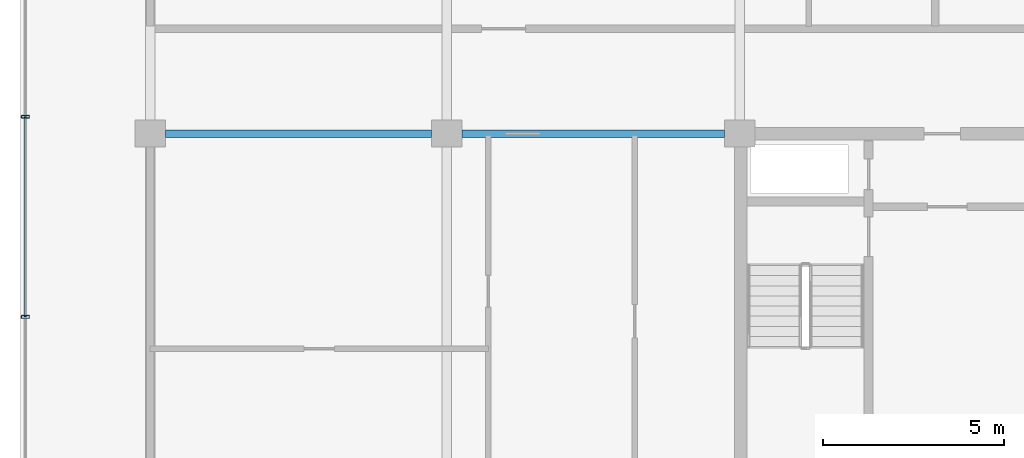
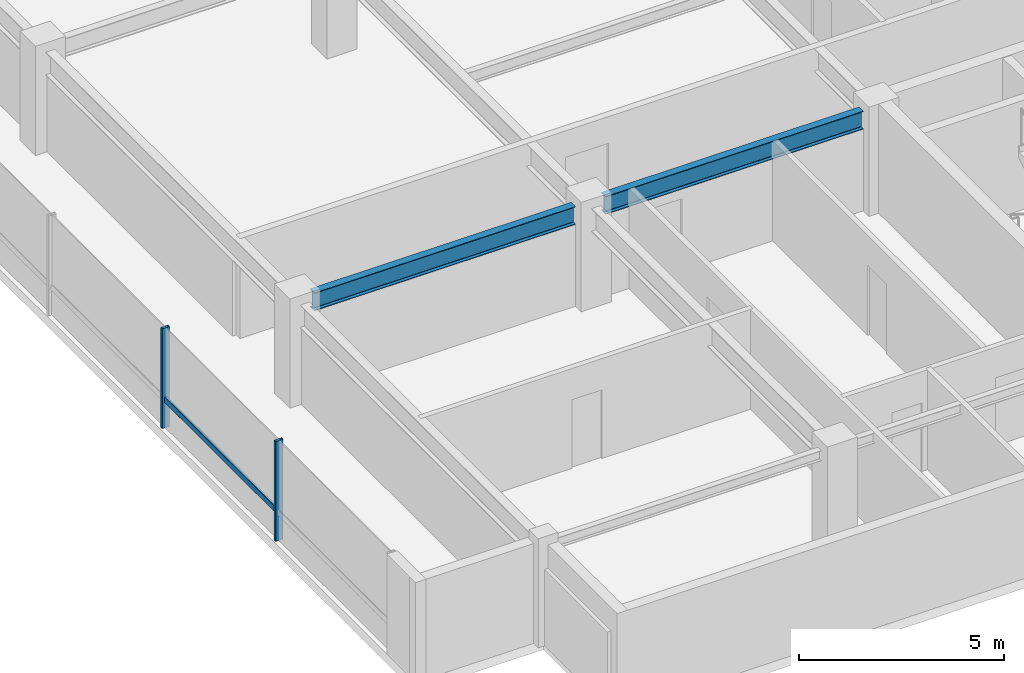
# One storey, part 4 of 32: 3 members, 2 beams, 1 element without a shape of its own.
"""IFC4 building model written with IfcOpenShell, lengths in metres."""

from ifc_helpers import new_model, si_unit, direction, frame, origin, origin_2d, place, context, subcontext, project, spatial, hollow_rectangle, i_section, extrude, material, layer, layer_set, material_profile, profile_set, type_object, element, aggregate, save


model = new_model("IFC4")

# Units and contexts
model_context = context("Model", 3, precision=1e-05, world=origin(), true_north=direction((0.0, 1.0)))
body_context = subcontext(model_context, "Body", "Model", "MODEL_VIEW")
ifc_project = project(units=[si_unit("LENGTHUNIT", "METRE"), si_unit("AREAUNIT", "SQUARE_METRE"), si_unit("VOLUMEUNIT", "CUBIC_METRE"), si_unit("PLANEANGLEUNIT", "RADIAN"), si_unit("MASSUNIT", "GRAM", prefix="KILO")], contexts=[model_context])

# Site, building, storey
site_placement = place(None, origin())
site = spatial("IfcSite", under=ifc_project, at=site_placement, CompositionType="ELEMENT")
building_placement = place(site_placement, origin())
building = spatial("IfcBuilding", under=site, at=building_placement, Name="Korimba Cascade Residences", CompositionType="ELEMENT")
storey_placement = place(building_placement, frame((0.0, 0.0, 178.35009765625)))
storey = spatial("IfcBuildingStorey", under=building, at=storey_placement, Name="L51", CompositionType="ELEMENT", Elevation=178.35009765625)

# Beams
ifc_material_1 = material(Name="Steel S355", Category="steel")
ifc_material_profile_1 = material_profile(ifc_material_1, i_section(OverallWidth=0.2099609375, OverallDepth=0.53662109375, WebThickness=0.0107421875, FlangeThickness=0.017333984375, FilletRadius=0.0126953125, at=origin_2d()), Name="Steel S355")
ifc_profile_set_1 = profile_set([ifc_material_profile_1], Name="Steel S355")
beam_type = type_object("IfcBeamType", Name="BM-STL-UB533", PredefinedType="BEAM", material=ifc_profile_set_1)
beam_1_placement = place(storey_placement, frame((60.22509765625, 67.199951171875, 2.701416015625), z_axis=(1.0, 0.0, 0.0), x_axis=(0.0, 1.0, 0.0)))
element("IfcBeam", 1, at=beam_1_placement, inside=storey, type_object=beam_type, Name="L51 T1 E-W Girder Y2 Bay 1", PredefinedType="BEAM", context=body_context, shape_type="SweptSolid", body=[
    extrude(i_section(OverallWidth=0.2099609375, OverallDepth=0.53662109375, WebThickness=0.0107421875, FlangeThickness=0.017333984375, FilletRadius=0.0126953125, at=origin_2d()), origin(), (0.0, 0.0, 1.0), 7.349853515625),
])
beam_2_placement = place(storey_placement, frame((68.425048828125, 67.199951171875, 2.701416015625), z_axis=(1.0, 0.0, 0.0), x_axis=(0.0, 1.0, 0.0)))
element("IfcBeam", 2, at=beam_2_placement, inside=storey, type_object=beam_type, Name="L51 T1 E-W Girder Y2 Bay 2", PredefinedType="BEAM", context=body_context, shape_type="SweptSolid", body=[
    extrude(i_section(OverallWidth=0.2099609375, OverallDepth=0.53662109375, WebThickness=0.0107421875, FlangeThickness=0.017333984375, FilletRadius=0.0126953125, at=origin_2d()), origin(), (0.0, 0.0, 1.0), 7.25),
])

# Curtain wall, members
ifc_material_2 = material(Name="Anodised Aluminium Curtain Wall Framing", Category="aluminium")
ifc_layer = layer(ifc_material_2, 0.179931640625)
ifc_layer_set = layer_set([ifc_layer], Name="Anodised Aluminium Curtain Wall Framing")
curtain_wall_type = type_object("IfcCurtainWallType", Name="CW-SKY-SYS2", PredefinedType="NOTDEFINED", material=ifc_layer_set)
curtain_wall_placement = place(storey_placement, origin())
curtain_wall = element("IfcCurtainWall", 3, at=curtain_wall_placement, inside=storey, type_object=curtain_wall_type, Name="L51 Curtain Wall CW-L51-T1-E9", PredefinedType="NOTDEFINED")
ifc_material_3 = material(Name="Anodised Aluminium Mullion", Category="aluminium")
ifc_material_profile_2 = material_profile(ifc_material_3, hollow_rectangle(XDim=0.080078125, YDim=0.219970703125, WallThickness=0.00634765625, InnerFilletRadius=0.00634765625, OuterFilletRadius=0.0126953125, at=origin_2d()), Name="Anodised Aluminium Mullion")
ifc_profile_set_2 = profile_set([ifc_material_profile_2], Name="Anodised Aluminium Mullion")
member_type_1 = type_object("IfcMemberType", Name="CWM-MUL-220", PredefinedType="MULLION", material=ifc_profile_set_2)
member_1_placement = place(storey_placement, frame((56.35009765625, 67.666748046875, 0.0), z_axis=(0.0, 0.0, 1.0), x_axis=(0.0, -1.0, 0.0)))
member_1 = element("IfcMember", 4, at=member_1_placement, type_object=member_type_1, Name="CW-L51-T1-E9 Mullion 5", PredefinedType="MULLION", context=body_context, shape_type="SweptSolid", body=[
    extrude(hollow_rectangle(XDim=0.080078125, YDim=0.219970703125, WallThickness=0.00634765625, InnerFilletRadius=0.00634765625, OuterFilletRadius=0.0126953125, at=origin_2d()), origin(), (0.0, 0.0, 1.0), 2.969970703125),
])
member_2_placement = place(storey_placement, frame((56.35009765625, 62.13330078125, 0.0), z_axis=(0.0, 0.0, 1.0), x_axis=(0.0, -1.0, 0.0)))
member_2 = element("IfcMember", 5, at=member_2_placement, type_object=member_type_1, Name="CW-L51-T1-E9 Mullion 6", PredefinedType="MULLION", context=body_context, shape_type="SweptSolid", body=[
    extrude(hollow_rectangle(XDim=0.080078125, YDim=0.219970703125, WallThickness=0.00634765625, InnerFilletRadius=0.00634765625, OuterFilletRadius=0.0126953125, at=origin_2d()), origin(), (0.0, 0.0, 1.0), 2.969970703125),
])
ifc_material_4 = material(Name="Anodised Aluminium Transom", Category="aluminium")
ifc_material_profile_3 = material_profile(ifc_material_4, hollow_rectangle(XDim=0.070068359375, YDim=0.179931640625, WallThickness=0.0048828125, InnerFilletRadius=0.0048828125, OuterFilletRadius=0.010009765625, at=origin_2d()), Name="Anodised Aluminium Transom")
ifc_profile_set_3 = profile_set([ifc_material_profile_3], Name="Anodised Aluminium Transom")
member_type_2 = type_object("IfcMemberType", Name="CWM-TRN-150", PredefinedType="USERDEFINED", material=ifc_profile_set_3)
member_3_placement = place(storey_placement, frame((56.35009765625, 67.666748046875, 0.83154296875), z_axis=(0.0, -1.0, 0.0), x_axis=(1.0, 0.0, 0.0)))
member_3 = element("IfcMember", 6, at=member_3_placement, type_object=member_type_2, Name="CW-L51-T1-E9 Transom 5", ObjectType="TRANSOM", PredefinedType="USERDEFINED", context=body_context, shape_type="SweptSolid", body=[
    extrude(hollow_rectangle(XDim=0.070068359375, YDim=0.179931640625, WallThickness=0.0048828125, InnerFilletRadius=0.0048828125, OuterFilletRadius=0.010009765625, at=origin_2d()), origin(), (0.0, 0.0, 1.0), 5.533447265625),
])
aggregate(curtain_wall, [member_1, member_2, member_3])

save(model, "model.ifc")
